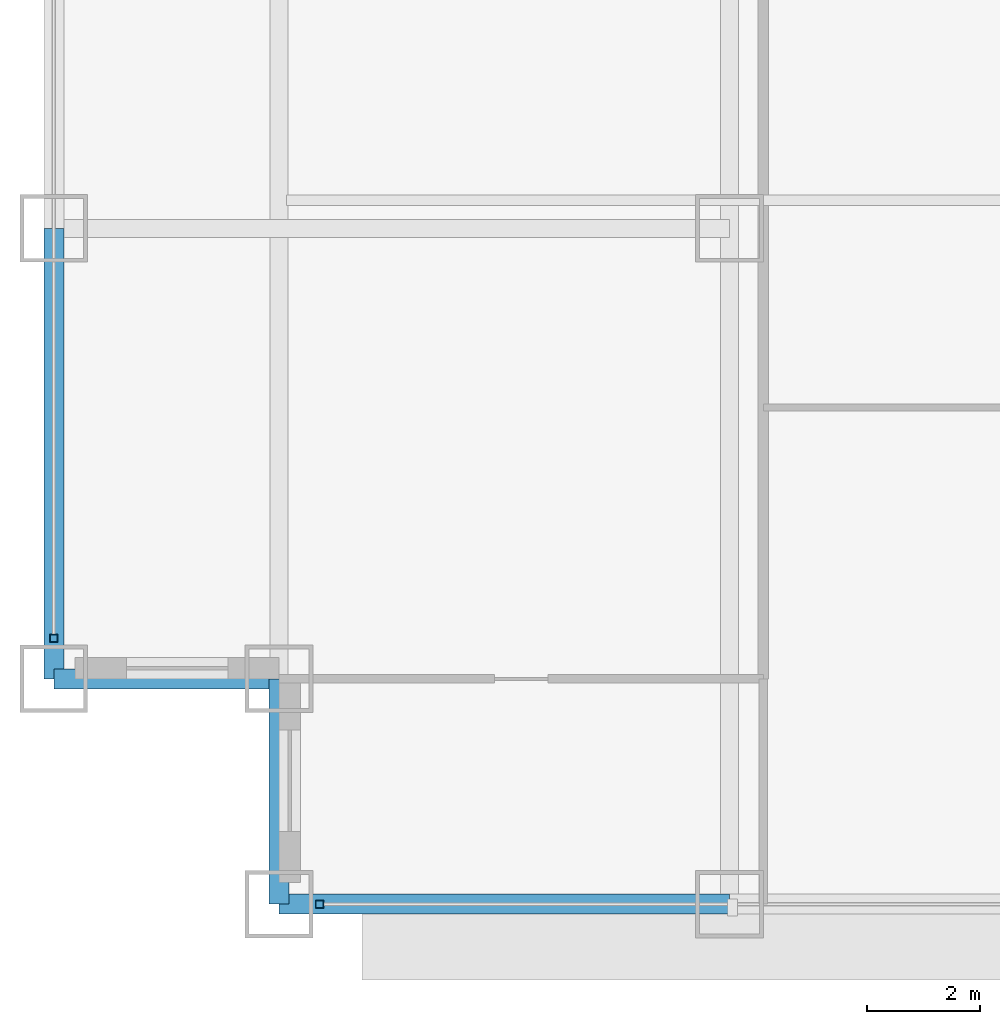
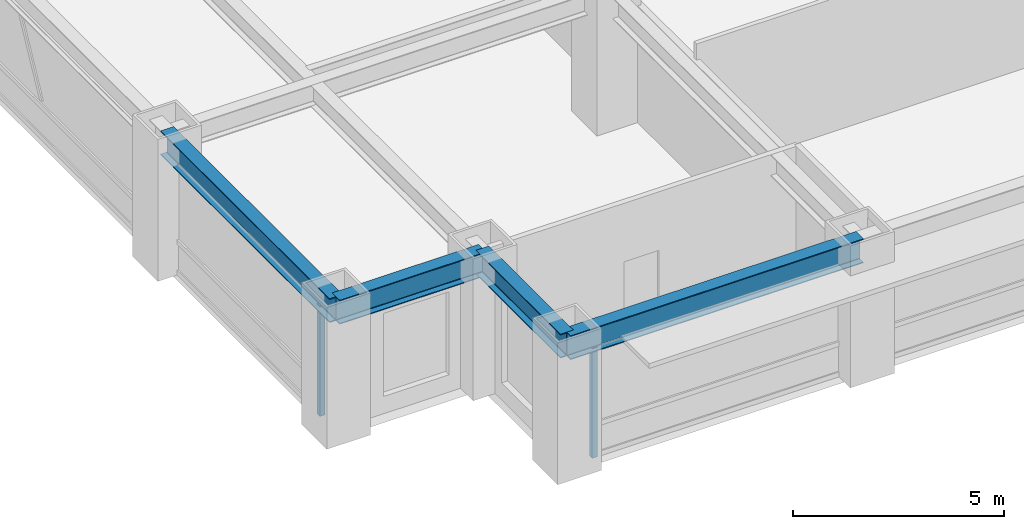
# One storey, part 2 of 32: 4 beams, 2 members, 2 elements without a shape of their own.
"""IFC4 building model written with IfcOpenShell, lengths in metres."""

from ifc_helpers import new_model, si_unit, direction, frame, origin, origin_2d, place, context, subcontext, project, spatial, hollow_rectangle, i_section, extrude, source, transform, mapped, material, material_profile, profile_set, type_object, element, aggregate, save


model = new_model("IFC4")

# Units and contexts
model_context = context("Model", 3, precision=1e-05, world=origin(), true_north=direction((0.0, 1.0)))
body_context = subcontext(model_context, "Body", "Model", "MODEL_VIEW")
ifc_project = project(units=[si_unit("LENGTHUNIT", "METRE"), si_unit("AREAUNIT", "SQUARE_METRE"), si_unit("VOLUMEUNIT", "CUBIC_METRE"), si_unit("PLANEANGLEUNIT", "RADIAN"), si_unit("MASSUNIT", "GRAM", prefix="KILO")], contexts=[model_context])

# Site, building, storey
site_placement = place(None, origin())
site = spatial("IfcSite", under=ifc_project, at=site_placement, CompositionType="ELEMENT")
building_placement = place(site_placement, origin())
building = spatial("IfcBuilding", under=site, at=building_placement, Name="Khorayat Bourse Tower", CompositionType="ELEMENT")
storey_placement = place(building_placement, frame((0.0, 0.0, 99.60009765625)))
storey = spatial("IfcBuildingStorey", under=building, at=storey_placement, Name="L22", CompositionType="ELEMENT", Elevation=99.60009765625)

# Beams
ifc_material_1 = material(Name="Steel ASTM A992 Grade 50", Category="steel")
ifc_material_profile_1 = material_profile(ifc_material_1, i_section(OverallWidth=0.35498046875, OverallDepth=0.695068359375, WebThickness=0.015380859375, FlangeThickness=0.02490234375, FilletRadius=0.01806640625, at=origin_2d()), Name="W690X217")
ifc_profile_set_1 = profile_set([ifc_material_profile_1], Name="Steel ASTM A992 Grade 50")
beam_type = type_object("IfcBeamType", Name="BM-SPAN-690", PredefinedType="SPANDREL", material=ifc_profile_set_1)
shared_shape_1 = source(origin(), body_context, "Body", "SweptSolid", [
    extrude(i_section(OverallWidth=0.35498046875, OverallDepth=0.695068359375, WebThickness=0.015380859375, FlangeThickness=0.02490234375, FilletRadius=0.01806640625, at=origin_2d()), origin(), (0.0, 0.0, 1.0), 8.0),
])
for number, where, z_axis, x_axis, name in (
    (1, (-28.0, -32.0, 3.492431640625), (1.0, 0.0, 0.0), (0.0, 1.0, 0.0), "L22 BM-SPAN-690 BM-L22-SPN-024"),
    (2, (-32.0, -28.0, 3.492431640625), (0.0, 1.0, 0.0), (-1.0, 0.0, 0.0), "L22 BM-SPAN-690 BM-L22-SPN-061"),
):
    element("IfcBeam", number, at=place(storey_placement, frame(where, z_axis=z_axis, x_axis=x_axis)), inside=storey, type_object=beam_type, Name=name, PredefinedType="SPANDREL", context=body_context, shape_type="MappedRepresentation", body=[
        mapped(shared_shape_1, transform((0.0, 0.0, 0.0), scale=1.0)),
    ])
shared_shape_2 = source(origin(), body_context, "Body", "SweptSolid", [
    extrude(i_section(OverallWidth=0.35498046875, OverallDepth=0.695068359375, WebThickness=0.015380859375, FlangeThickness=0.02490234375, FilletRadius=0.01806640625, at=origin_2d()), origin(), (0.0, 0.0, 1.0), 4.0),
])
for number, where, z_axis, x_axis, name in (
    (3, (-32.0, -28.0, 3.492431640625), (1.0, 0.0, 0.0), (0.0, 1.0, 0.0), "L22 BM-SPAN-690 BM-L22-SPN-062"),
    (4, (-28.0, -32.0, 3.492431640625), (0.0, 1.0, 0.0), (-1.0, 0.0, 0.0), "L22 BM-SPAN-690 BM-L22-SPN-063"),
):
    element("IfcBeam", number, at=place(storey_placement, frame(where, z_axis=z_axis, x_axis=x_axis)), inside=storey, type_object=beam_type, Name=name, PredefinedType="SPANDREL", context=body_context, shape_type="MappedRepresentation", body=[
        mapped(shared_shape_2, transform((0.0, 0.0, 0.0), scale=1.0)),
    ])

# Curtain wall, member
ifc_material_2 = material(Name="Aluminium EN AW-6063 T6", Category="aluminium")
curtain_wall_type = type_object("IfcCurtainWallType", Name="CW-SYS-02", PredefinedType="NOTDEFINED", material=ifc_material_2)
curtain_wall_1_placement = place(storey_placement, origin())
curtain_wall_1 = element("IfcCurtainWall", 5, at=curtain_wall_1_placement, inside=storey, type_object=curtain_wall_type, Name="L22 Curtain Wall CW-L22-S1", PredefinedType="NOTDEFINED")
ifc_material_profile_2 = material_profile(ifc_material_2, hollow_rectangle(XDim=0.139892578125, YDim=0.139892578125, WallThickness=0.006103515625, at=origin_2d()), Name="ALU 140x140x6")
ifc_profile_set_2 = profile_set([ifc_material_profile_2], Name="Aluminium EN AW-6063 T6")
member_type = type_object("IfcMemberType", Name="CWM-VERT-140", PredefinedType="MULLION", material=ifc_profile_set_2)
shared_shape_3 = source(origin(), body_context, "Body", "SweptSolid", [
    extrude(hollow_rectangle(XDim=0.139892578125, YDim=0.139892578125, WallThickness=0.006103515625, at=origin_2d()), origin(), (0.0, 0.0, 1.0), 3.18994140625),
])
member_1_placement = place(storey_placement, frame((-27.280029296875, -32.0, 0.0), z_axis=(0.0, 0.0, 1.0), x_axis=(0.0, 1.0, 0.0)))
member_1 = element("IfcMember", 6, at=member_1_placement, type_object=member_type, Name="CW-L22-S1 Vertical Mullion 1", PredefinedType="MULLION", context=body_context, shape_type="MappedRepresentation", body=[
    mapped(shared_shape_3, transform((0.0, 0.0, 0.0), scale=1.0)),
])
aggregate(curtain_wall_1, [member_1])

curtain_wall_2_placement = place(storey_placement, origin())
curtain_wall_2 = element("IfcCurtainWall", 7, at=curtain_wall_2_placement, inside=storey, type_object=curtain_wall_type, Name="L22 Curtain Wall CW-L22-W1", PredefinedType="NOTDEFINED")
member_2_placement = place(storey_placement, frame((-32.0, -27.280029296875, 0.0), z_axis=(0.0, 0.0, 1.0), x_axis=(-1.0, 0.0, 0.0)))
member_2 = element("IfcMember", 8, at=member_2_placement, type_object=member_type, Name="CW-L22-W1 Vertical Mullion 1", PredefinedType="MULLION", context=body_context, shape_type="MappedRepresentation", body=[
    mapped(shared_shape_3, transform((0.0, 0.0, 0.0), scale=1.0)),
])
aggregate(curtain_wall_2, [member_2])

save(model, "model.ifc")
